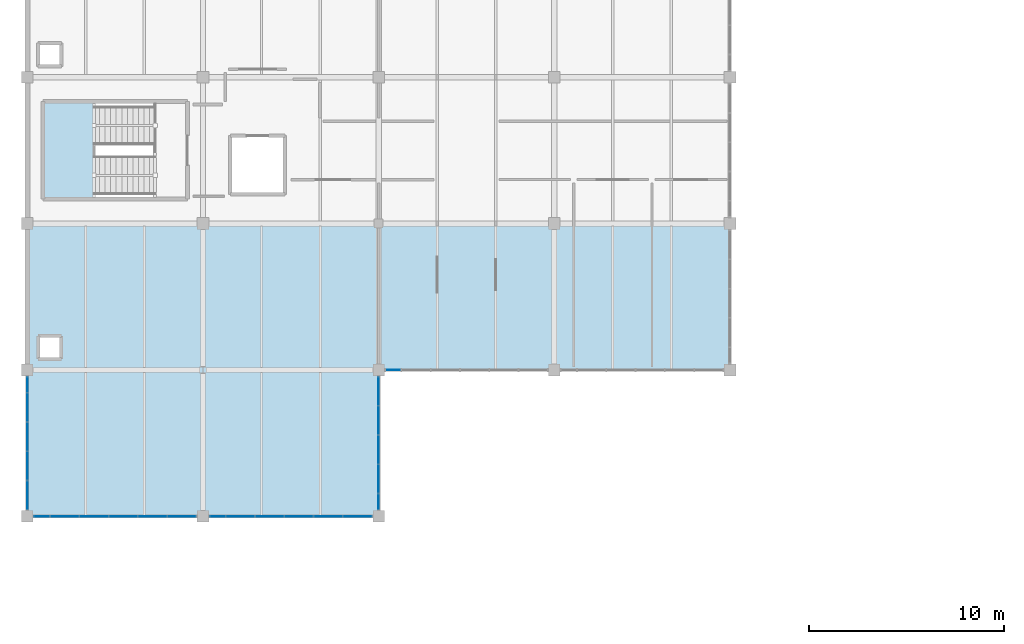
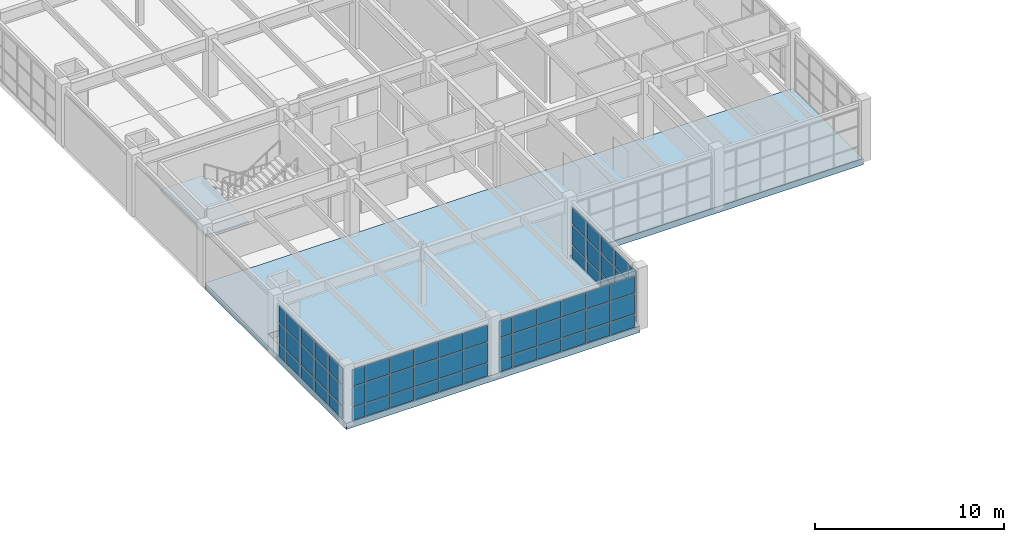
# One storey, part 51 of 76: 67 plates, 2 slabs, 6 elements without a shape of their own.
"""IFC4 building model written with IfcOpenShell, lengths in metres."""

from ifc_helpers import new_model, si_unit, direction, frame, origin, origin_2d, place, context, subcontext, project, spatial, polyline, rectangle, outline, extrude, material, layer, layer_set, type_object, element, aggregate, save


model = new_model("IFC4")

# Units and contexts
model_context = context("Model", 3, precision=1e-05, world=origin(), true_north=direction((0.0, 1.0)))
body_context = subcontext(model_context, "Body", "Model", "MODEL_VIEW")
ifc_project = project(units=[si_unit("LENGTHUNIT", "METRE"), si_unit("AREAUNIT", "SQUARE_METRE"), si_unit("VOLUMEUNIT", "CUBIC_METRE"), si_unit("PLANEANGLEUNIT", "RADIAN"), si_unit("MASSUNIT", "GRAM", prefix="KILO")], contexts=[model_context])

# Site, building, storey
site_placement = place(None, origin())
site = spatial("IfcSite", under=ifc_project, at=site_placement, CompositionType="ELEMENT")
building_placement = place(site_placement, origin())
building = spatial("IfcBuilding", under=site, at=building_placement, Name="Marnridge Secondary College", CompositionType="ELEMENT")
storey_placement = place(building_placement, frame((0.0, 0.0, 4.5)))
storey = spatial("IfcBuildingStorey", under=building, at=storey_placement, Name="L01", CompositionType="ELEMENT", Elevation=4.5)

# Curtain wall, plate
ifc_material_1 = material(Name="Thermally broken aluminium and low-E glazing", Category="aluminium")
ifc_layer_1 = layer(ifc_material_1, 0.159912109375)
ifc_layer_set_1 = layer_set([ifc_layer_1], Name="CW-MOD-1500")
curtain_wall_type = type_object("IfcCurtainWallType", Name="CW-MOD-1500", PredefinedType="NOTDEFINED", material=ifc_layer_set_1)
curtain_wall_1_placement = place(storey_placement, origin())
curtain_wall_1 = element("IfcCurtainWall", 1, at=curtain_wall_1_placement, inside=storey, type_object=curtain_wall_type, Name="Unitised curtain wall CW-L01-052", PredefinedType="NOTDEFINED")
ifc_material_2 = material(Name="Double-glazed low-E argon unit", Category="glass")
ifc_layer_2 = layer(ifc_material_2, 0.028076171875)
ifc_layer_set_2 = layer_set([ifc_layer_2], Name="CWP-GLZ28")
plate_type = type_object("IfcPlateType", Name="CWP-GLZ28", PredefinedType="CURTAIN_PANEL", material=ifc_layer_set_2)
plate_1_placement = place(storey_placement, frame((18.75, 82.5, 0.06005859375), z_axis=(0.0, 0.0, 1.0), x_axis=(-1.0, 0.0, 0.0)))
plate_1 = element("IfcPlate", 2, at=plate_1_placement, type_object=plate_type, Name="CW-L01-052 panel 6.1", PredefinedType="CURTAIN_PANEL", context=body_context, shape_type="SweptSolid", body=[
    extrude(rectangle(XDim=0.77197265625, YDim=0.028076171875, at=origin_2d()), origin(), (0.0, 0.0, 1.0), 0.81005859375),
])
aggregate(curtain_wall_1, [plate_1])

# Curtain wall, plates
curtain_wall_2_placement = place(storey_placement, origin())
curtain_wall_2 = element("IfcCurtainWall", 3, at=curtain_wall_2_placement, inside=storey, type_object=curtain_wall_type, Name="Unitised curtain wall CW-L01-053", PredefinedType="NOTDEFINED")
plate_2_placement = place(storey_placement, frame((18.0, 81.416015625, 0.06005859375), z_axis=(0.0, 0.0, 1.0), x_axis=(0.0, -1.0, 0.0)))
plate_2 = element("IfcPlate", 4, at=plate_2_placement, type_object=plate_type, Name="CW-L01-053 panel 1.1", PredefinedType="CURTAIN_PANEL", context=body_context, shape_type="SweptSolid", body=[
    extrude(rectangle(XDim=1.43994140625, YDim=0.028076171875, at=origin_2d()), origin(), (0.0, 0.0, 1.0), 0.81005859375),
])
plate_3_placement = place(storey_placement, frame((18.0, 81.416015625, 0.929931640625), z_axis=(0.0, 0.0, 1.0), x_axis=(0.0, -1.0, 0.0)))
plate_3 = element("IfcPlate", 5, at=plate_3_placement, type_object=plate_type, Name="CW-L01-053 panel 1.2", PredefinedType="CURTAIN_PANEL", context=body_context, shape_type="SweptSolid", body=[
    extrude(rectangle(XDim=1.43994140625, YDim=0.028076171875, at=origin_2d()), origin(), (0.0, 0.0, 1.0), 1.2900390625),
])
plate_4_placement = place(storey_placement, frame((18.0, 81.416015625, 2.280029296875), z_axis=(0.0, 0.0, 1.0), x_axis=(0.0, -1.0, 0.0)))
plate_4 = element("IfcPlate", 6, at=plate_4_placement, type_object=plate_type, Name="CW-L01-053 panel 1.3", PredefinedType="CURTAIN_PANEL", context=body_context, shape_type="SweptSolid", body=[
    extrude(rectangle(XDim=1.43994140625, YDim=0.028076171875, at=origin_2d()), origin(), (0.0, 0.0, 1.0), 1.06005859375),
])
plate_5_placement = place(storey_placement, frame((18.0, 79.916015625, 0.06005859375), z_axis=(0.0, 0.0, 1.0), x_axis=(0.0, -1.0, 0.0)))
plate_5 = element("IfcPlate", 7, at=plate_5_placement, type_object=plate_type, Name="CW-L01-053 panel 2.1", PredefinedType="CURTAIN_PANEL", context=body_context, shape_type="SweptSolid", body=[
    extrude(rectangle(XDim=1.43994140625, YDim=0.028076171875, at=origin_2d()), origin(), (0.0, 0.0, 1.0), 0.81005859375),
])
plate_6_placement = place(storey_placement, frame((18.0, 79.916015625, 0.929931640625), z_axis=(0.0, 0.0, 1.0), x_axis=(0.0, -1.0, 0.0)))
plate_6 = element("IfcPlate", 8, at=plate_6_placement, type_object=plate_type, Name="CW-L01-053 panel 2.2", PredefinedType="CURTAIN_PANEL", context=body_context, shape_type="SweptSolid", body=[
    extrude(rectangle(XDim=1.43994140625, YDim=0.028076171875, at=origin_2d()), origin(), (0.0, 0.0, 1.0), 1.2900390625),
])
plate_7_placement = place(storey_placement, frame((18.0, 79.916015625, 2.280029296875), z_axis=(0.0, 0.0, 1.0), x_axis=(0.0, -1.0, 0.0)))
plate_7 = element("IfcPlate", 9, at=plate_7_placement, type_object=plate_type, Name="CW-L01-053 panel 2.3", PredefinedType="CURTAIN_PANEL", context=body_context, shape_type="SweptSolid", body=[
    extrude(rectangle(XDim=1.43994140625, YDim=0.028076171875, at=origin_2d()), origin(), (0.0, 0.0, 1.0), 1.06005859375),
])
plate_8_placement = place(storey_placement, frame((18.0, 78.416015625, 0.06005859375), z_axis=(0.0, 0.0, 1.0), x_axis=(0.0, -1.0, 0.0)))
plate_8 = element("IfcPlate", 10, at=plate_8_placement, type_object=plate_type, Name="CW-L01-053 panel 3.1", PredefinedType="CURTAIN_PANEL", context=body_context, shape_type="SweptSolid", body=[
    extrude(rectangle(XDim=1.43994140625, YDim=0.028076171875, at=origin_2d()), origin(), (0.0, 0.0, 1.0), 0.81005859375),
])
plate_9_placement = place(storey_placement, frame((18.0, 78.416015625, 0.929931640625), z_axis=(0.0, 0.0, 1.0), x_axis=(0.0, -1.0, 0.0)))
plate_9 = element("IfcPlate", 11, at=plate_9_placement, type_object=plate_type, Name="CW-L01-053 panel 3.2", PredefinedType="CURTAIN_PANEL", context=body_context, shape_type="SweptSolid", body=[
    extrude(rectangle(XDim=1.43994140625, YDim=0.028076171875, at=origin_2d()), origin(), (0.0, 0.0, 1.0), 1.2900390625),
])
plate_10_placement = place(storey_placement, frame((18.0, 78.416015625, 2.280029296875), z_axis=(0.0, 0.0, 1.0), x_axis=(0.0, -1.0, 0.0)))
plate_10 = element("IfcPlate", 12, at=plate_10_placement, type_object=plate_type, Name="CW-L01-053 panel 3.3", PredefinedType="CURTAIN_PANEL", context=body_context, shape_type="SweptSolid", body=[
    extrude(rectangle(XDim=1.43994140625, YDim=0.028076171875, at=origin_2d()), origin(), (0.0, 0.0, 1.0), 1.06005859375),
])
plate_11_placement = place(storey_placement, frame((18.0, 76.916015625, 0.06005859375), z_axis=(0.0, 0.0, 1.0), x_axis=(0.0, -1.0, 0.0)))
plate_11 = element("IfcPlate", 13, at=plate_11_placement, type_object=plate_type, Name="CW-L01-053 panel 4.1", PredefinedType="CURTAIN_PANEL", context=body_context, shape_type="SweptSolid", body=[
    extrude(rectangle(XDim=1.43994140625, YDim=0.028076171875, at=origin_2d()), origin(), (0.0, 0.0, 1.0), 0.81005859375),
])
plate_12_placement = place(storey_placement, frame((18.0, 76.916015625, 0.929931640625), z_axis=(0.0, 0.0, 1.0), x_axis=(0.0, -1.0, 0.0)))
plate_12 = element("IfcPlate", 14, at=plate_12_placement, type_object=plate_type, Name="CW-L01-053 panel 4.2", PredefinedType="CURTAIN_PANEL", context=body_context, shape_type="SweptSolid", body=[
    extrude(rectangle(XDim=1.43994140625, YDim=0.028076171875, at=origin_2d()), origin(), (0.0, 0.0, 1.0), 1.2900390625),
])
plate_13_placement = place(storey_placement, frame((18.0, 76.916015625, 2.280029296875), z_axis=(0.0, 0.0, 1.0), x_axis=(0.0, -1.0, 0.0)))
plate_13 = element("IfcPlate", 15, at=plate_13_placement, type_object=plate_type, Name="CW-L01-053 panel 4.3", PredefinedType="CURTAIN_PANEL", context=body_context, shape_type="SweptSolid", body=[
    extrude(rectangle(XDim=1.43994140625, YDim=0.028076171875, at=origin_2d()), origin(), (0.0, 0.0, 1.0), 1.06005859375),
])
plate_14_placement = place(storey_placement, frame((18.0, 75.75, 0.06005859375), z_axis=(0.0, 0.0, 1.0), x_axis=(0.0, -1.0, 0.0)))
plate_14 = element("IfcPlate", 16, at=plate_14_placement, type_object=plate_type, Name="CW-L01-053 panel 5.1", PredefinedType="CURTAIN_PANEL", context=body_context, shape_type="SweptSolid", body=[
    extrude(rectangle(XDim=0.77197265625, YDim=0.028076171875, at=origin_2d()), origin(), (0.0, 0.0, 1.0), 0.81005859375),
])
plate_15_placement = place(storey_placement, frame((18.0, 75.75, 0.929931640625), z_axis=(0.0, 0.0, 1.0), x_axis=(0.0, -1.0, 0.0)))
plate_15 = element("IfcPlate", 17, at=plate_15_placement, type_object=plate_type, Name="CW-L01-053 panel 5.2", PredefinedType="CURTAIN_PANEL", context=body_context, shape_type="SweptSolid", body=[
    extrude(rectangle(XDim=0.77197265625, YDim=0.028076171875, at=origin_2d()), origin(), (0.0, 0.0, 1.0), 1.2900390625),
])
plate_16_placement = place(storey_placement, frame((18.0, 75.75, 2.280029296875), z_axis=(0.0, 0.0, 1.0), x_axis=(0.0, -1.0, 0.0)))
plate_16 = element("IfcPlate", 18, at=plate_16_placement, type_object=plate_type, Name="CW-L01-053 panel 5.3", PredefinedType="CURTAIN_PANEL", context=body_context, shape_type="SweptSolid", body=[
    extrude(rectangle(XDim=0.77197265625, YDim=0.028076171875, at=origin_2d()), origin(), (0.0, 0.0, 1.0), 1.06005859375),
])
aggregate(curtain_wall_2, [plate_2, plate_3, plate_4, plate_5, plate_6, plate_7, plate_8, plate_9, plate_10, plate_11, plate_12, plate_13, plate_14, plate_15, plate_16])

curtain_wall_3_placement = place(storey_placement, origin())
curtain_wall_3 = element("IfcCurtainWall", 19, at=curtain_wall_3_placement, inside=storey, type_object=curtain_wall_type, Name="Unitised curtain wall CW-L01-054", PredefinedType="NOTDEFINED")
plate_17_placement = place(storey_placement, frame((16.916015625, 75.0, 0.06005859375), z_axis=(0.0, 0.0, 1.0), x_axis=(-1.0, 0.0, 0.0)))
plate_17 = element("IfcPlate", 20, at=plate_17_placement, type_object=plate_type, Name="CW-L01-054 panel 1.1", PredefinedType="CURTAIN_PANEL", context=body_context, shape_type="SweptSolid", body=[
    extrude(rectangle(XDim=1.43994140625, YDim=0.028076171875, at=origin_2d()), origin(), (0.0, 0.0, 1.0), 0.81005859375),
])
plate_18_placement = place(storey_placement, frame((16.916015625, 75.0, 0.929931640625), z_axis=(0.0, 0.0, 1.0), x_axis=(-1.0, 0.0, 0.0)))
plate_18 = element("IfcPlate", 21, at=plate_18_placement, type_object=plate_type, Name="CW-L01-054 panel 1.2", PredefinedType="CURTAIN_PANEL", context=body_context, shape_type="SweptSolid", body=[
    extrude(rectangle(XDim=1.43994140625, YDim=0.028076171875, at=origin_2d()), origin(), (0.0, 0.0, 1.0), 1.2900390625),
])
plate_19_placement = place(storey_placement, frame((16.916015625, 75.0, 2.280029296875), z_axis=(0.0, 0.0, 1.0), x_axis=(-1.0, 0.0, 0.0)))
plate_19 = element("IfcPlate", 22, at=plate_19_placement, type_object=plate_type, Name="CW-L01-054 panel 1.3", PredefinedType="CURTAIN_PANEL", context=body_context, shape_type="SweptSolid", body=[
    extrude(rectangle(XDim=1.43994140625, YDim=0.028076171875, at=origin_2d()), origin(), (0.0, 0.0, 1.0), 1.06005859375),
])
plate_20_placement = place(storey_placement, frame((15.416015625, 75.0, 0.06005859375), z_axis=(0.0, 0.0, 1.0), x_axis=(-1.0, 0.0, 0.0)))
plate_20 = element("IfcPlate", 23, at=plate_20_placement, type_object=plate_type, Name="CW-L01-054 panel 2.1", PredefinedType="CURTAIN_PANEL", context=body_context, shape_type="SweptSolid", body=[
    extrude(rectangle(XDim=1.43994140625, YDim=0.028076171875, at=origin_2d()), origin(), (0.0, 0.0, 1.0), 0.81005859375),
])
plate_21_placement = place(storey_placement, frame((15.416015625, 75.0, 0.929931640625), z_axis=(0.0, 0.0, 1.0), x_axis=(-1.0, 0.0, 0.0)))
plate_21 = element("IfcPlate", 24, at=plate_21_placement, type_object=plate_type, Name="CW-L01-054 panel 2.2", PredefinedType="CURTAIN_PANEL", context=body_context, shape_type="SweptSolid", body=[
    extrude(rectangle(XDim=1.43994140625, YDim=0.028076171875, at=origin_2d()), origin(), (0.0, 0.0, 1.0), 1.2900390625),
])
plate_22_placement = place(storey_placement, frame((15.416015625, 75.0, 2.280029296875), z_axis=(0.0, 0.0, 1.0), x_axis=(-1.0, 0.0, 0.0)))
plate_22 = element("IfcPlate", 25, at=plate_22_placement, type_object=plate_type, Name="CW-L01-054 panel 2.3", PredefinedType="CURTAIN_PANEL", context=body_context, shape_type="SweptSolid", body=[
    extrude(rectangle(XDim=1.43994140625, YDim=0.028076171875, at=origin_2d()), origin(), (0.0, 0.0, 1.0), 1.06005859375),
])
plate_23_placement = place(storey_placement, frame((13.916015625, 75.0, 0.06005859375), z_axis=(0.0, 0.0, 1.0), x_axis=(-1.0, 0.0, 0.0)))
plate_23 = element("IfcPlate", 26, at=plate_23_placement, type_object=plate_type, Name="CW-L01-054 panel 3.1", PredefinedType="CURTAIN_PANEL", context=body_context, shape_type="SweptSolid", body=[
    extrude(rectangle(XDim=1.43994140625, YDim=0.028076171875, at=origin_2d()), origin(), (0.0, 0.0, 1.0), 0.81005859375),
])
plate_24_placement = place(storey_placement, frame((13.916015625, 75.0, 0.929931640625), z_axis=(0.0, 0.0, 1.0), x_axis=(-1.0, 0.0, 0.0)))
plate_24 = element("IfcPlate", 27, at=plate_24_placement, type_object=plate_type, Name="CW-L01-054 panel 3.2", PredefinedType="CURTAIN_PANEL", context=body_context, shape_type="SweptSolid", body=[
    extrude(rectangle(XDim=1.43994140625, YDim=0.028076171875, at=origin_2d()), origin(), (0.0, 0.0, 1.0), 1.2900390625),
])
plate_25_placement = place(storey_placement, frame((13.916015625, 75.0, 2.280029296875), z_axis=(0.0, 0.0, 1.0), x_axis=(-1.0, 0.0, 0.0)))
plate_25 = element("IfcPlate", 28, at=plate_25_placement, type_object=plate_type, Name="CW-L01-054 panel 3.3", PredefinedType="CURTAIN_PANEL", context=body_context, shape_type="SweptSolid", body=[
    extrude(rectangle(XDim=1.43994140625, YDim=0.028076171875, at=origin_2d()), origin(), (0.0, 0.0, 1.0), 1.06005859375),
])
plate_26_placement = place(storey_placement, frame((12.416015625, 75.0, 0.06005859375), z_axis=(0.0, 0.0, 1.0), x_axis=(-1.0, 0.0, 0.0)))
plate_26 = element("IfcPlate", 29, at=plate_26_placement, type_object=plate_type, Name="CW-L01-054 panel 4.1", PredefinedType="CURTAIN_PANEL", context=body_context, shape_type="SweptSolid", body=[
    extrude(rectangle(XDim=1.43994140625, YDim=0.028076171875, at=origin_2d()), origin(), (0.0, 0.0, 1.0), 0.81005859375),
])
plate_27_placement = place(storey_placement, frame((12.416015625, 75.0, 0.929931640625), z_axis=(0.0, 0.0, 1.0), x_axis=(-1.0, 0.0, 0.0)))
plate_27 = element("IfcPlate", 30, at=plate_27_placement, type_object=plate_type, Name="CW-L01-054 panel 4.2", PredefinedType="CURTAIN_PANEL", context=body_context, shape_type="SweptSolid", body=[
    extrude(rectangle(XDim=1.43994140625, YDim=0.028076171875, at=origin_2d()), origin(), (0.0, 0.0, 1.0), 1.2900390625),
])
plate_28_placement = place(storey_placement, frame((12.416015625, 75.0, 2.280029296875), z_axis=(0.0, 0.0, 1.0), x_axis=(-1.0, 0.0, 0.0)))
plate_28 = element("IfcPlate", 31, at=plate_28_placement, type_object=plate_type, Name="CW-L01-054 panel 4.3", PredefinedType="CURTAIN_PANEL", context=body_context, shape_type="SweptSolid", body=[
    extrude(rectangle(XDim=1.43994140625, YDim=0.028076171875, at=origin_2d()), origin(), (0.0, 0.0, 1.0), 1.06005859375),
])
plate_29_placement = place(storey_placement, frame((10.916015625, 75.0, 0.06005859375), z_axis=(0.0, 0.0, 1.0), x_axis=(-1.0, 0.0, 0.0)))
plate_29 = element("IfcPlate", 32, at=plate_29_placement, type_object=plate_type, Name="CW-L01-054 panel 5.1", PredefinedType="CURTAIN_PANEL", context=body_context, shape_type="SweptSolid", body=[
    extrude(rectangle(XDim=1.43994140625, YDim=0.028076171875, at=origin_2d()), origin(), (0.0, 0.0, 1.0), 0.81005859375),
])
plate_30_placement = place(storey_placement, frame((10.916015625, 75.0, 0.929931640625), z_axis=(0.0, 0.0, 1.0), x_axis=(-1.0, 0.0, 0.0)))
plate_30 = element("IfcPlate", 33, at=plate_30_placement, type_object=plate_type, Name="CW-L01-054 panel 5.2", PredefinedType="CURTAIN_PANEL", context=body_context, shape_type="SweptSolid", body=[
    extrude(rectangle(XDim=1.43994140625, YDim=0.028076171875, at=origin_2d()), origin(), (0.0, 0.0, 1.0), 1.2900390625),
])
plate_31_placement = place(storey_placement, frame((10.916015625, 75.0, 2.280029296875), z_axis=(0.0, 0.0, 1.0), x_axis=(-1.0, 0.0, 0.0)))
plate_31 = element("IfcPlate", 34, at=plate_31_placement, type_object=plate_type, Name="CW-L01-054 panel 5.3", PredefinedType="CURTAIN_PANEL", context=body_context, shape_type="SweptSolid", body=[
    extrude(rectangle(XDim=1.43994140625, YDim=0.028076171875, at=origin_2d()), origin(), (0.0, 0.0, 1.0), 1.06005859375),
])
plate_32_placement = place(storey_placement, frame((9.75, 75.0, 0.06005859375), z_axis=(0.0, 0.0, 1.0), x_axis=(-1.0, 0.0, 0.0)))
plate_32 = element("IfcPlate", 35, at=plate_32_placement, type_object=plate_type, Name="CW-L01-054 panel 6.1", PredefinedType="CURTAIN_PANEL", context=body_context, shape_type="SweptSolid", body=[
    extrude(rectangle(XDim=0.77197265625, YDim=0.028076171875, at=origin_2d()), origin(), (0.0, 0.0, 1.0), 0.81005859375),
])
plate_33_placement = place(storey_placement, frame((9.75, 75.0, 0.929931640625), z_axis=(0.0, 0.0, 1.0), x_axis=(-1.0, 0.0, 0.0)))
plate_33 = element("IfcPlate", 36, at=plate_33_placement, type_object=plate_type, Name="CW-L01-054 panel 6.2", PredefinedType="CURTAIN_PANEL", context=body_context, shape_type="SweptSolid", body=[
    extrude(rectangle(XDim=0.77197265625, YDim=0.028076171875, at=origin_2d()), origin(), (0.0, 0.0, 1.0), 1.2900390625),
])
plate_34_placement = place(storey_placement, frame((9.75, 75.0, 2.280029296875), z_axis=(0.0, 0.0, 1.0), x_axis=(-1.0, 0.0, 0.0)))
plate_34 = element("IfcPlate", 37, at=plate_34_placement, type_object=plate_type, Name="CW-L01-054 panel 6.3", PredefinedType="CURTAIN_PANEL", context=body_context, shape_type="SweptSolid", body=[
    extrude(rectangle(XDim=0.77197265625, YDim=0.028076171875, at=origin_2d()), origin(), (0.0, 0.0, 1.0), 1.06005859375),
])
aggregate(curtain_wall_3, [plate_17, plate_18, plate_19, plate_20, plate_21, plate_22, plate_23, plate_24, plate_25, plate_26, plate_27, plate_28, plate_29, plate_30, plate_31, plate_32, plate_33, plate_34])

curtain_wall_4_placement = place(storey_placement, origin())
curtain_wall_4 = element("IfcCurtainWall", 38, at=curtain_wall_4_placement, inside=storey, type_object=curtain_wall_type, Name="Unitised curtain wall CW-L01-055", PredefinedType="NOTDEFINED")
plate_35_placement = place(storey_placement, frame((7.916015625, 75.0, 0.06005859375), z_axis=(0.0, 0.0, 1.0), x_axis=(-1.0, 0.0, 0.0)))
plate_35 = element("IfcPlate", 39, at=plate_35_placement, type_object=plate_type, Name="CW-L01-055 panel 1.1", PredefinedType="CURTAIN_PANEL", context=body_context, shape_type="SweptSolid", body=[
    extrude(rectangle(XDim=1.43994140625, YDim=0.028076171875, at=origin_2d()), origin(), (0.0, 0.0, 1.0), 0.81005859375),
])
plate_36_placement = place(storey_placement, frame((7.916015625, 75.0, 0.929931640625), z_axis=(0.0, 0.0, 1.0), x_axis=(-1.0, 0.0, 0.0)))
plate_36 = element("IfcPlate", 40, at=plate_36_placement, type_object=plate_type, Name="CW-L01-055 panel 1.2", PredefinedType="CURTAIN_PANEL", context=body_context, shape_type="SweptSolid", body=[
    extrude(rectangle(XDim=1.43994140625, YDim=0.028076171875, at=origin_2d()), origin(), (0.0, 0.0, 1.0), 1.2900390625),
])
plate_37_placement = place(storey_placement, frame((7.916015625, 75.0, 2.280029296875), z_axis=(0.0, 0.0, 1.0), x_axis=(-1.0, 0.0, 0.0)))
plate_37 = element("IfcPlate", 41, at=plate_37_placement, type_object=plate_type, Name="CW-L01-055 panel 1.3", PredefinedType="CURTAIN_PANEL", context=body_context, shape_type="SweptSolid", body=[
    extrude(rectangle(XDim=1.43994140625, YDim=0.028076171875, at=origin_2d()), origin(), (0.0, 0.0, 1.0), 1.06005859375),
])
plate_38_placement = place(storey_placement, frame((6.416015625, 75.0, 0.06005859375), z_axis=(0.0, 0.0, 1.0), x_axis=(-1.0, 0.0, 0.0)))
plate_38 = element("IfcPlate", 42, at=plate_38_placement, type_object=plate_type, Name="CW-L01-055 panel 2.1", PredefinedType="CURTAIN_PANEL", context=body_context, shape_type="SweptSolid", body=[
    extrude(rectangle(XDim=1.43994140625, YDim=0.028076171875, at=origin_2d()), origin(), (0.0, 0.0, 1.0), 0.81005859375),
])
plate_39_placement = place(storey_placement, frame((6.416015625, 75.0, 0.929931640625), z_axis=(0.0, 0.0, 1.0), x_axis=(-1.0, 0.0, 0.0)))
plate_39 = element("IfcPlate", 43, at=plate_39_placement, type_object=plate_type, Name="CW-L01-055 panel 2.2", PredefinedType="CURTAIN_PANEL", context=body_context, shape_type="SweptSolid", body=[
    extrude(rectangle(XDim=1.43994140625, YDim=0.028076171875, at=origin_2d()), origin(), (0.0, 0.0, 1.0), 1.2900390625),
])
plate_40_placement = place(storey_placement, frame((6.416015625, 75.0, 2.280029296875), z_axis=(0.0, 0.0, 1.0), x_axis=(-1.0, 0.0, 0.0)))
plate_40 = element("IfcPlate", 44, at=plate_40_placement, type_object=plate_type, Name="CW-L01-055 panel 2.3", PredefinedType="CURTAIN_PANEL", context=body_context, shape_type="SweptSolid", body=[
    extrude(rectangle(XDim=1.43994140625, YDim=0.028076171875, at=origin_2d()), origin(), (0.0, 0.0, 1.0), 1.06005859375),
])
plate_41_placement = place(storey_placement, frame((4.916015625, 75.0, 0.06005859375), z_axis=(0.0, 0.0, 1.0), x_axis=(-1.0, 0.0, 0.0)))
plate_41 = element("IfcPlate", 45, at=plate_41_placement, type_object=plate_type, Name="CW-L01-055 panel 3.1", PredefinedType="CURTAIN_PANEL", context=body_context, shape_type="SweptSolid", body=[
    extrude(rectangle(XDim=1.43994140625, YDim=0.028076171875, at=origin_2d()), origin(), (0.0, 0.0, 1.0), 0.81005859375),
])
plate_42_placement = place(storey_placement, frame((4.916015625, 75.0, 0.929931640625), z_axis=(0.0, 0.0, 1.0), x_axis=(-1.0, 0.0, 0.0)))
plate_42 = element("IfcPlate", 46, at=plate_42_placement, type_object=plate_type, Name="CW-L01-055 panel 3.2", PredefinedType="CURTAIN_PANEL", context=body_context, shape_type="SweptSolid", body=[
    extrude(rectangle(XDim=1.43994140625, YDim=0.028076171875, at=origin_2d()), origin(), (0.0, 0.0, 1.0), 1.2900390625),
])
plate_43_placement = place(storey_placement, frame((4.916015625, 75.0, 2.280029296875), z_axis=(0.0, 0.0, 1.0), x_axis=(-1.0, 0.0, 0.0)))
plate_43 = element("IfcPlate", 47, at=plate_43_placement, type_object=plate_type, Name="CW-L01-055 panel 3.3", PredefinedType="CURTAIN_PANEL", context=body_context, shape_type="SweptSolid", body=[
    extrude(rectangle(XDim=1.43994140625, YDim=0.028076171875, at=origin_2d()), origin(), (0.0, 0.0, 1.0), 1.06005859375),
])
plate_44_placement = place(storey_placement, frame((3.416015625, 75.0, 0.06005859375), z_axis=(0.0, 0.0, 1.0), x_axis=(-1.0, 0.0, 0.0)))
plate_44 = element("IfcPlate", 48, at=plate_44_placement, type_object=plate_type, Name="CW-L01-055 panel 4.1", PredefinedType="CURTAIN_PANEL", context=body_context, shape_type="SweptSolid", body=[
    extrude(rectangle(XDim=1.43994140625, YDim=0.028076171875, at=origin_2d()), origin(), (0.0, 0.0, 1.0), 0.81005859375),
])
plate_45_placement = place(storey_placement, frame((3.416015625, 75.0, 0.929931640625), z_axis=(0.0, 0.0, 1.0), x_axis=(-1.0, 0.0, 0.0)))
plate_45 = element("IfcPlate", 49, at=plate_45_placement, type_object=plate_type, Name="CW-L01-055 panel 4.2", PredefinedType="CURTAIN_PANEL", context=body_context, shape_type="SweptSolid", body=[
    extrude(rectangle(XDim=1.43994140625, YDim=0.028076171875, at=origin_2d()), origin(), (0.0, 0.0, 1.0), 1.2900390625),
])
plate_46_placement = place(storey_placement, frame((3.416015625, 75.0, 2.280029296875), z_axis=(0.0, 0.0, 1.0), x_axis=(-1.0, 0.0, 0.0)))
plate_46 = element("IfcPlate", 50, at=plate_46_placement, type_object=plate_type, Name="CW-L01-055 panel 4.3", PredefinedType="CURTAIN_PANEL", context=body_context, shape_type="SweptSolid", body=[
    extrude(rectangle(XDim=1.43994140625, YDim=0.028076171875, at=origin_2d()), origin(), (0.0, 0.0, 1.0), 1.06005859375),
])
plate_47_placement = place(storey_placement, frame((1.916015625, 75.0, 0.06005859375), z_axis=(0.0, 0.0, 1.0), x_axis=(-1.0, 0.0, 0.0)))
plate_47 = element("IfcPlate", 51, at=plate_47_placement, type_object=plate_type, Name="CW-L01-055 panel 5.1", PredefinedType="CURTAIN_PANEL", context=body_context, shape_type="SweptSolid", body=[
    extrude(rectangle(XDim=1.43994140625, YDim=0.028076171875, at=origin_2d()), origin(), (0.0, 0.0, 1.0), 0.81005859375),
])
plate_48_placement = place(storey_placement, frame((1.916015625, 75.0, 0.929931640625), z_axis=(0.0, 0.0, 1.0), x_axis=(-1.0, 0.0, 0.0)))
plate_48 = element("IfcPlate", 52, at=plate_48_placement, type_object=plate_type, Name="CW-L01-055 panel 5.2", PredefinedType="CURTAIN_PANEL", context=body_context, shape_type="SweptSolid", body=[
    extrude(rectangle(XDim=1.43994140625, YDim=0.028076171875, at=origin_2d()), origin(), (0.0, 0.0, 1.0), 1.2900390625),
])
plate_49_placement = place(storey_placement, frame((1.916015625, 75.0, 2.280029296875), z_axis=(0.0, 0.0, 1.0), x_axis=(-1.0, 0.0, 0.0)))
plate_49 = element("IfcPlate", 53, at=plate_49_placement, type_object=plate_type, Name="CW-L01-055 panel 5.3", PredefinedType="CURTAIN_PANEL", context=body_context, shape_type="SweptSolid", body=[
    extrude(rectangle(XDim=1.43994140625, YDim=0.028076171875, at=origin_2d()), origin(), (0.0, 0.0, 1.0), 1.06005859375),
])
plate_50_placement = place(storey_placement, frame((0.75, 75.0, 0.06005859375), z_axis=(0.0, 0.0, 1.0), x_axis=(-1.0, 0.0, 0.0)))
plate_50 = element("IfcPlate", 54, at=plate_50_placement, type_object=plate_type, Name="CW-L01-055 panel 6.1", PredefinedType="CURTAIN_PANEL", context=body_context, shape_type="SweptSolid", body=[
    extrude(rectangle(XDim=0.77197265625, YDim=0.028076171875, at=origin_2d()), origin(), (0.0, 0.0, 1.0), 0.81005859375),
])
plate_51_placement = place(storey_placement, frame((0.75, 75.0, 0.929931640625), z_axis=(0.0, 0.0, 1.0), x_axis=(-1.0, 0.0, 0.0)))
plate_51 = element("IfcPlate", 55, at=plate_51_placement, type_object=plate_type, Name="CW-L01-055 panel 6.2", PredefinedType="CURTAIN_PANEL", context=body_context, shape_type="SweptSolid", body=[
    extrude(rectangle(XDim=0.77197265625, YDim=0.028076171875, at=origin_2d()), origin(), (0.0, 0.0, 1.0), 1.2900390625),
])
plate_52_placement = place(storey_placement, frame((0.75, 75.0, 2.280029296875), z_axis=(0.0, 0.0, 1.0), x_axis=(-1.0, 0.0, 0.0)))
plate_52 = element("IfcPlate", 56, at=plate_52_placement, type_object=plate_type, Name="CW-L01-055 panel 6.3", PredefinedType="CURTAIN_PANEL", context=body_context, shape_type="SweptSolid", body=[
    extrude(rectangle(XDim=0.77197265625, YDim=0.028076171875, at=origin_2d()), origin(), (0.0, 0.0, 1.0), 1.06005859375),
])
aggregate(curtain_wall_4, [plate_35, plate_36, plate_37, plate_38, plate_39, plate_40, plate_41, plate_42, plate_43, plate_44, plate_45, plate_46, plate_47, plate_48, plate_49, plate_50, plate_51, plate_52])

curtain_wall_5_placement = place(storey_placement, origin())
curtain_wall_5 = element("IfcCurtainWall", 57, at=curtain_wall_5_placement, inside=storey, type_object=curtain_wall_type, Name="Unitised curtain wall CW-L01-056", PredefinedType="NOTDEFINED")
plate_53_placement = place(storey_placement, frame((0.0, 76.083984375, 0.06005859375), z_axis=(0.0, 0.0, 1.0), x_axis=(0.0, 1.0, 0.0)))
plate_53 = element("IfcPlate", 58, at=plate_53_placement, type_object=plate_type, Name="CW-L01-056 panel 1.1", PredefinedType="CURTAIN_PANEL", context=body_context, shape_type="SweptSolid", body=[
    extrude(rectangle(XDim=1.43994140625, YDim=0.028076171875, at=origin_2d()), origin(), (0.0, 0.0, 1.0), 0.81005859375),
])
plate_54_placement = place(storey_placement, frame((0.0, 76.083984375, 0.929931640625), z_axis=(0.0, 0.0, 1.0), x_axis=(0.0, 1.0, 0.0)))
plate_54 = element("IfcPlate", 59, at=plate_54_placement, type_object=plate_type, Name="CW-L01-056 panel 1.2", PredefinedType="CURTAIN_PANEL", context=body_context, shape_type="SweptSolid", body=[
    extrude(rectangle(XDim=1.43994140625, YDim=0.028076171875, at=origin_2d()), origin(), (0.0, 0.0, 1.0), 1.2900390625),
])
plate_55_placement = place(storey_placement, frame((0.0, 76.083984375, 2.280029296875), z_axis=(0.0, 0.0, 1.0), x_axis=(0.0, 1.0, 0.0)))
plate_55 = element("IfcPlate", 60, at=plate_55_placement, type_object=plate_type, Name="CW-L01-056 panel 1.3", PredefinedType="CURTAIN_PANEL", context=body_context, shape_type="SweptSolid", body=[
    extrude(rectangle(XDim=1.43994140625, YDim=0.028076171875, at=origin_2d()), origin(), (0.0, 0.0, 1.0), 1.06005859375),
])
plate_56_placement = place(storey_placement, frame((0.0, 77.583984375, 0.06005859375), z_axis=(0.0, 0.0, 1.0), x_axis=(0.0, 1.0, 0.0)))
plate_56 = element("IfcPlate", 61, at=plate_56_placement, type_object=plate_type, Name="CW-L01-056 panel 2.1", PredefinedType="CURTAIN_PANEL", context=body_context, shape_type="SweptSolid", body=[
    extrude(rectangle(XDim=1.43994140625, YDim=0.028076171875, at=origin_2d()), origin(), (0.0, 0.0, 1.0), 0.81005859375),
])
plate_57_placement = place(storey_placement, frame((0.0, 77.583984375, 0.929931640625), z_axis=(0.0, 0.0, 1.0), x_axis=(0.0, 1.0, 0.0)))
plate_57 = element("IfcPlate", 62, at=plate_57_placement, type_object=plate_type, Name="CW-L01-056 panel 2.2", PredefinedType="CURTAIN_PANEL", context=body_context, shape_type="SweptSolid", body=[
    extrude(rectangle(XDim=1.43994140625, YDim=0.028076171875, at=origin_2d()), origin(), (0.0, 0.0, 1.0), 1.2900390625),
])
plate_58_placement = place(storey_placement, frame((0.0, 77.583984375, 2.280029296875), z_axis=(0.0, 0.0, 1.0), x_axis=(0.0, 1.0, 0.0)))
plate_58 = element("IfcPlate", 63, at=plate_58_placement, type_object=plate_type, Name="CW-L01-056 panel 2.3", PredefinedType="CURTAIN_PANEL", context=body_context, shape_type="SweptSolid", body=[
    extrude(rectangle(XDim=1.43994140625, YDim=0.028076171875, at=origin_2d()), origin(), (0.0, 0.0, 1.0), 1.06005859375),
])
plate_59_placement = place(storey_placement, frame((0.0, 79.083984375, 0.06005859375), z_axis=(0.0, 0.0, 1.0), x_axis=(0.0, 1.0, 0.0)))
plate_59 = element("IfcPlate", 64, at=plate_59_placement, type_object=plate_type, Name="CW-L01-056 panel 3.1", PredefinedType="CURTAIN_PANEL", context=body_context, shape_type="SweptSolid", body=[
    extrude(rectangle(XDim=1.43994140625, YDim=0.028076171875, at=origin_2d()), origin(), (0.0, 0.0, 1.0), 0.81005859375),
])
plate_60_placement = place(storey_placement, frame((0.0, 79.083984375, 0.929931640625), z_axis=(0.0, 0.0, 1.0), x_axis=(0.0, 1.0, 0.0)))
plate_60 = element("IfcPlate", 65, at=plate_60_placement, type_object=plate_type, Name="CW-L01-056 panel 3.2", PredefinedType="CURTAIN_PANEL", context=body_context, shape_type="SweptSolid", body=[
    extrude(rectangle(XDim=1.43994140625, YDim=0.028076171875, at=origin_2d()), origin(), (0.0, 0.0, 1.0), 1.2900390625),
])
plate_61_placement = place(storey_placement, frame((0.0, 79.083984375, 2.280029296875), z_axis=(0.0, 0.0, 1.0), x_axis=(0.0, 1.0, 0.0)))
plate_61 = element("IfcPlate", 66, at=plate_61_placement, type_object=plate_type, Name="CW-L01-056 panel 3.3", PredefinedType="CURTAIN_PANEL", context=body_context, shape_type="SweptSolid", body=[
    extrude(rectangle(XDim=1.43994140625, YDim=0.028076171875, at=origin_2d()), origin(), (0.0, 0.0, 1.0), 1.06005859375),
])
plate_62_placement = place(storey_placement, frame((0.0, 80.583984375, 0.06005859375), z_axis=(0.0, 0.0, 1.0), x_axis=(0.0, 1.0, 0.0)))
plate_62 = element("IfcPlate", 67, at=plate_62_placement, type_object=plate_type, Name="CW-L01-056 panel 4.1", PredefinedType="CURTAIN_PANEL", context=body_context, shape_type="SweptSolid", body=[
    extrude(rectangle(XDim=1.43994140625, YDim=0.028076171875, at=origin_2d()), origin(), (0.0, 0.0, 1.0), 0.81005859375),
])
plate_63_placement = place(storey_placement, frame((0.0, 80.583984375, 0.929931640625), z_axis=(0.0, 0.0, 1.0), x_axis=(0.0, 1.0, 0.0)))
plate_63 = element("IfcPlate", 68, at=plate_63_placement, type_object=plate_type, Name="CW-L01-056 panel 4.2", PredefinedType="CURTAIN_PANEL", context=body_context, shape_type="SweptSolid", body=[
    extrude(rectangle(XDim=1.43994140625, YDim=0.028076171875, at=origin_2d()), origin(), (0.0, 0.0, 1.0), 1.2900390625),
])
plate_64_placement = place(storey_placement, frame((0.0, 80.583984375, 2.280029296875), z_axis=(0.0, 0.0, 1.0), x_axis=(0.0, 1.0, 0.0)))
plate_64 = element("IfcPlate", 69, at=plate_64_placement, type_object=plate_type, Name="CW-L01-056 panel 4.3", PredefinedType="CURTAIN_PANEL", context=body_context, shape_type="SweptSolid", body=[
    extrude(rectangle(XDim=1.43994140625, YDim=0.028076171875, at=origin_2d()), origin(), (0.0, 0.0, 1.0), 1.06005859375),
])
plate_65_placement = place(storey_placement, frame((0.0, 81.75, 0.06005859375), z_axis=(0.0, 0.0, 1.0), x_axis=(0.0, 1.0, 0.0)))
plate_65 = element("IfcPlate", 70, at=plate_65_placement, type_object=plate_type, Name="CW-L01-056 panel 5.1", PredefinedType="CURTAIN_PANEL", context=body_context, shape_type="SweptSolid", body=[
    extrude(rectangle(XDim=0.77197265625, YDim=0.028076171875, at=origin_2d()), origin(), (0.0, 0.0, 1.0), 0.81005859375),
])
plate_66_placement = place(storey_placement, frame((0.0, 81.75, 0.929931640625), z_axis=(0.0, 0.0, 1.0), x_axis=(0.0, 1.0, 0.0)))
plate_66 = element("IfcPlate", 71, at=plate_66_placement, type_object=plate_type, Name="CW-L01-056 panel 5.2", PredefinedType="CURTAIN_PANEL", context=body_context, shape_type="SweptSolid", body=[
    extrude(rectangle(XDim=0.77197265625, YDim=0.028076171875, at=origin_2d()), origin(), (0.0, 0.0, 1.0), 1.2900390625),
])
plate_67_placement = place(storey_placement, frame((0.0, 81.75, 2.280029296875), z_axis=(0.0, 0.0, 1.0), x_axis=(0.0, 1.0, 0.0)))
plate_67 = element("IfcPlate", 72, at=plate_67_placement, type_object=plate_type, Name="CW-L01-056 panel 5.3", PredefinedType="CURTAIN_PANEL", context=body_context, shape_type="SweptSolid", body=[
    extrude(rectangle(XDim=0.77197265625, YDim=0.028076171875, at=origin_2d()), origin(), (0.0, 0.0, 1.0), 1.06005859375),
])
aggregate(curtain_wall_5, [plate_53, plate_54, plate_55, plate_56, plate_57, plate_58, plate_59, plate_60, plate_61, plate_62, plate_63, plate_64, plate_65, plate_66, plate_67])

# Stair, slab
ifc_material_3 = material(Name="Concrete C40/50 (AS 3600 N40, 40 MPa)", Category="concrete")
stair_type = type_object("IfcStairType", Name="STC1", PredefinedType="HALF_TURN_STAIR", material=ifc_material_3)
stair_placement = place(storey_placement, origin())
stair = element("IfcStair", 73, at=stair_placement, inside=storey, type_object=stair_type, Name="Fire-isolated stair ST-05-L01", PredefinedType="HALF_TURN_STAIR")
ifc_material_4 = material(Name="Concrete C40/50 (AS 3600 N40, 40 MPa)", Category="concrete")
ifc_layer_3 = layer(ifc_material_4, 0.199951171875)
ifc_layer_set_3 = layer_set([ifc_layer_3], Name="SL-LAND-200")
slab_type_1 = type_object("IfcSlabType", Name="SL-LAND-200", PredefinedType="LANDING", material=ifc_layer_set_3)
slab_1_placement = place(storey_placement, frame((0.0, 0.0, 1.800048828125)))
slab_1 = element("IfcSlab", 74, at=slab_1_placement, type_object=slab_type_1, Name="ST-05-L01 landing 1", PredefinedType="LANDING", context=body_context, shape_type="SweptSolid", body=[
    extrude(outline(polyline([(0.860107421875, 91.31005859375), (3.4150390625, 91.31005859375), (3.4150390625, 96.18994140625), (0.860107421875, 96.18994140625), (0.860107421875, 91.31005859375)])), origin(), (0.0, 0.0, 1.0), 0.199951171875),
])
aggregate(stair, [slab_1])

# Slab
ifc_material_5 = material(Name="Concrete C40/50 (AS 3600 N40, 40 MPa)", Category="concrete")
ifc_layer_4 = layer(ifc_material_5, 0.39990234375)
ifc_layer_set_4 = layer_set([ifc_layer_4], Name="SL-TRANS-400")
slab_type_2 = type_object("IfcSlabType", Name="SL-TRANS-400", PredefinedType="FLOOR", material=ifc_layer_set_4)
slab_2_placement = place(storey_placement, frame((0.0, 0.0, -0.39990234375)))
element("IfcSlab", 75, at=slab_2_placement, inside=storey, type_object=slab_type_2, Name="Floor slab SL-L01-019", PredefinedType="FLOOR", context=body_context, shape_type="SweptSolid", body=[
    extrude(outline(polyline([(0.0, 90.0), (36.0, 90.0), (36.0, 82.5), (18.0, 82.5), (18.0, 75.0), (0.0, 75.0), (0.0, 90.0)]), holes=[polyline([(0.550048828125, 83.050048828125), (1.75, 83.050048828125), (1.75, 84.25), (0.550048828125, 84.25), (0.550048828125, 83.050048828125)])]), origin(), (0.0, 0.0, 1.0), 0.39990234375),
])

save(model, "model.ifc")
